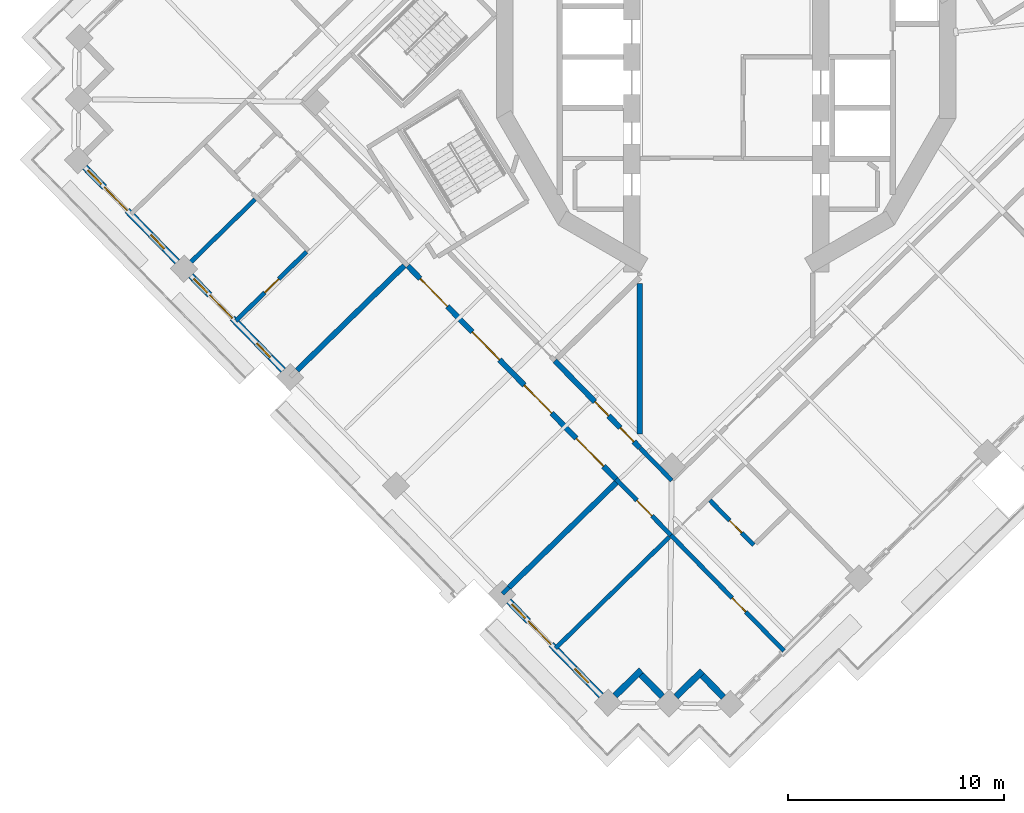
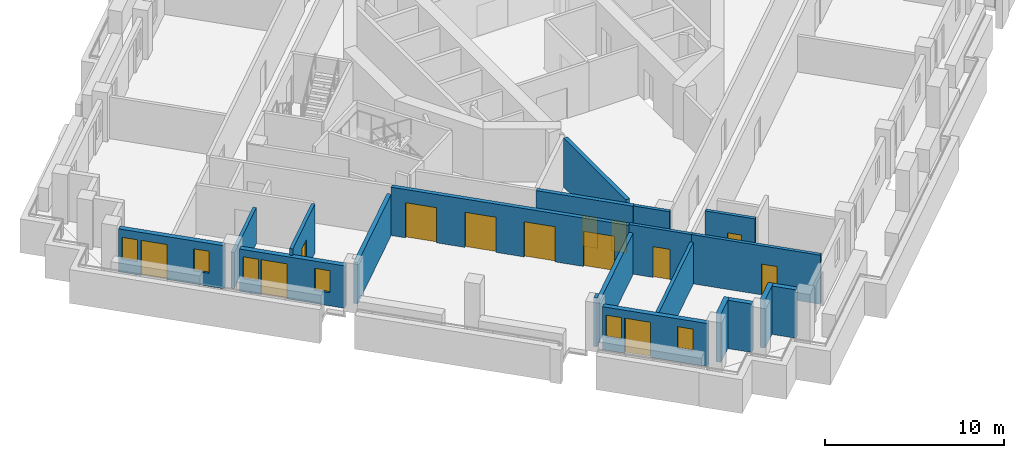
# One storey, part 4 of 17: 20 walls, 13 doors, 6 windows, 19 openings.
"""IFC4 building model written with IfcOpenShell, lengths in metres."""

import ifcopenshell
import ifcopenshell.guid

model = None  # the IFC model being written
_history = None  # IfcOwnerHistory: only IFC2X3 demands one
_inside = {}  # id of a spatial element -> (the spatial element, [elements in it])
_under = {}  # id of a project, library or spatial element -> (it, [spatial elements below it])
_declared = {}  # id of a project -> (the project, [libraries it declares])
_typed = {}  # id of a type object -> (the type object, [elements of that type])
_made_of = {}  # id of a material, layer set ... -> (it, [elements and type objects made of it])


def new_model(schema):
    """Start an empty IFC model of exactly this schema.

    Asked for "IFC4X3", IfcOpenShell would pick the latest addendum, in which some entities
    have other attributes; the version numbers below select the first issue.
    IFC2X3 requires an IfcOwnerHistory on every rooted entity: one is made here for all.
    """
    global model, _history
    if schema == "IFC4X3":
        model = ifcopenshell.file(schema_version=(4, 3, 0, 0))
    else:
        model = ifcopenshell.file(schema=schema)
    _inside.clear()
    _under.clear()
    _declared.clear()
    _typed.clear()
    _made_of.clear()
    _history = None
    if model.schema == "IFC2X3":
        org = make("IfcOrganization", Name="unknown")
        user = make(
            "IfcPersonAndOrganization",
            ThePerson=make("IfcPerson", FamilyName="unknown"),
            TheOrganization=org,
        )
        app = make(
            "IfcApplication",
            ApplicationDeveloper=org,
            Version="unknown",
            ApplicationFullName="unknown",
            ApplicationIdentifier="unknown",
        )
        _history = make(
            "IfcOwnerHistory",
            OwningUser=user,
            OwningApplication=app,
            ChangeAction="ADDED",
            CreationDate=0,
        )
    return model


def make(cls, **values):
    """One entity of the class cls with the attributes given. An attribute that is None is left unset."""
    return model.create_entity(
        cls, **{name: value for name, value in values.items() if value is not None}
    )


def rooted(cls, **values):
    """An entity with a GlobalId (a new one), such as an element, a storey or a relation."""
    return make(cls, GlobalId=ifcopenshell.guid.new(), OwnerHistory=_history, **values)


def si_unit(unit_type, name, prefix=None):
    """IfcSIUnit, for example si_unit("LENGTHUNIT", "METRE", prefix="MILLI")."""
    return make("IfcSIUnit", UnitType=unit_type, Prefix=prefix, Name=name)


def assignment(units):
    """IfcUnitAssignment: the units of a project."""
    return None if units is None else make("IfcUnitAssignment", Units=units)


def point(xyz):
    """IfcCartesianPoint."""
    return None if xyz is None else make("IfcCartesianPoint", Coordinates=xyz)


def direction(xyz):
    """IfcDirection."""
    return None if xyz is None else make("IfcDirection", DirectionRatios=xyz)


def frame(location, z_axis=None, x_axis=None):
    """IfcAxis2Placement3D, a coordinate frame: its origin and axes. An axis left out is left unset."""
    return make(
        "IfcAxis2Placement3D",
        Location=point(location),
        Axis=direction(z_axis),
        RefDirection=direction(x_axis),
    )


def frame_2d(location, x_axis=None):
    """IfcAxis2Placement2D, a coordinate frame in the plane: its origin and x axis."""
    return make(
        "IfcAxis2Placement2D", Location=point(location), RefDirection=direction(x_axis)
    )


def origin():
    """The frame at (0, 0, 0) with its axes left unset."""
    return frame((0.0, 0.0, 0.0))


def place(relative_to, where):
    """IfcLocalPlacement: puts the frame where relative to a parent placement (None: the world)."""
    return make(
        "IfcLocalPlacement", PlacementRelTo=relative_to, RelativePlacement=where
    )


def context(
    kind, dimensions, precision=None, world=None, true_north=None, identifier=None
):
    """IfcGeometricRepresentationContext, for example the 3D "Model" context."""
    return make(
        "IfcGeometricRepresentationContext",
        ContextIdentifier=identifier,
        ContextType=kind,
        CoordinateSpaceDimension=dimensions,
        Precision=precision,
        WorldCoordinateSystem=world,
        TrueNorth=true_north,
    )


def subcontext(parent, identifier, kind, view, scale=None):
    """IfcGeometricRepresentationSubContext, for example "Body" below "Model"."""
    return make(
        "IfcGeometricRepresentationSubContext",
        ContextIdentifier=identifier,
        ContextType=kind,
        ParentContext=parent,
        TargetScale=scale,
        TargetView=view,
    )


def project(units=None, contexts=None):
    """IfcProject with its units and contexts."""
    return rooted(
        "IfcProject",
        Name="project",
        RepresentationContexts=contexts,
        UnitsInContext=assignment(units),
    )


def spatial(cls, under=None, at=None, **own):
    """A site, building, storey or space (cls), placed at a placement, below another one or the project."""
    s = rooted(cls, ObjectPlacement=at, **own)
    if under is not None:
        _under.setdefault(under.id(), (under, []))[1].append(s)
    return s


def profile(cls, at=None, kind="AREA", **sizes):
    """A parametric profile (cls). Its sizes go by their IFC names, for example OverallWidth=200.0."""
    return make(cls, ProfileType=kind, Position=at, **sizes)


def rectangle(**sizes):
    """IfcRectangleProfileDef."""
    return profile("IfcRectangleProfileDef", **sizes)


def extrude(swept, where, along, depth):
    """IfcExtrudedAreaSolid: the profile swept, set in the frame where, extruded along a direction by depth."""
    return make(
        "IfcExtrudedAreaSolid",
        SweptArea=swept,
        Position=where,
        ExtrudedDirection=direction(along),
        Depth=depth,
    )


def shape(context_of_items, identifier, shape_type, items):
    """IfcShapeRepresentation: the items that make up one representation, for example the "Body"."""
    return make(
        "IfcShapeRepresentation",
        ContextOfItems=context_of_items,
        RepresentationIdentifier=identifier,
        RepresentationType=shape_type,
        Items=items,
    )


def material(Name=None, Category=None):
    """IfcMaterial."""
    return make("IfcMaterial", Name=Name, Category=Category)


def layer(
    of_material, thickness, ventilated=None, Name=None, Category=None, Priority=None
):
    """IfcMaterialLayer: one layer of a wall or slab, of a material (None: an air gap)."""
    return make(
        "IfcMaterialLayer",
        Material=of_material,
        LayerThickness=thickness,
        IsVentilated=ventilated,
        Name=Name,
        Category=Category,
        Priority=Priority,
    )


def layer_set(layers, Name=None):
    """IfcMaterialLayerSet."""
    return make("IfcMaterialLayerSet", MaterialLayers=layers, LayerSetName=Name)


def made_of(thing, what):
    """Note that an element or type object is made of a material, layer set ...; save() writes the relation."""
    if what is not None:
        _made_of.setdefault(what.id(), (what, []))[1].append(thing)
    return thing


def type_object(cls, material=None, **own):
    """A type object (cls), such as IfcWallType, which elements share."""
    return made_of(rooted(cls, **own), material)


def element(
    cls,
    number,
    at=None,
    inside=None,
    cuts=None,
    type_object=None,
    material=None,
    context=None,
    identifier="Body",
    shape_type=None,
    held_by="IfcProductDefinitionShape",
    body=None,
    shapes=None,
    **own,
):
    """One element of the class cls, such as IfcWall. Its Tag is "e" and its number.

    at: its placement. inside: the storey or other place that contains it. cuts: it is an
    opening in that element (IfcRelVoidsElement). A single representation is given by context,
    identifier, shape_type and body (its items); several are given by shapes. held_by: the class
    of the entity that holds the representations. save() writes the other relations.
    """
    e = rooted(cls, Tag="e%d" % number, ObjectPlacement=at, **own)
    if body is not None:
        shapes = [shape(context, identifier, shape_type, body)]
    if shapes is not None:
        e.Representation = make(held_by, Representations=shapes)
    if inside is not None:
        _inside.setdefault(inside.id(), (inside, []))[1].append(e)
    if cuts is not None:
        rooted(
            "IfcRelVoidsElement", RelatingBuildingElement=cuts, RelatedOpeningElement=e
        )
    if type_object is not None:
        _typed.setdefault(type_object.id(), (type_object, []))[1].append(e)
    return made_of(e, material)


def fill(opening, filler):
    """IfcRelFillsElement: the door or window that sits in an opening."""
    return rooted(
        "IfcRelFillsElement",
        RelatingOpeningElement=opening,
        RelatedBuildingElement=filler,
    )


def aggregate(whole, parts):
    """IfcRelAggregates: a whole, such as a stair, and the parts it consists of."""
    return rooted("IfcRelAggregates", RelatingObject=whole, RelatedObjects=parts)


def save(model, path):
    """Write the relations noted so far, then the file.

    IfcRelAggregates (storeys below a building ...), IfcRelContainedInSpatialStructure (elements
    in a storey), IfcRelDefinesByType, IfcRelAssociatesMaterial and IfcRelDeclares: one each for
    every whole, place, type object, material and project.
    """
    for whole, parts in _under.values():
        aggregate(whole, parts)
    for where, things in _inside.values():
        rooted(
            "IfcRelContainedInSpatialStructure",
            RelatedElements=things,
            RelatingStructure=where,
        )
    for kind, things in _typed.values():
        rooted("IfcRelDefinesByType", RelatedObjects=things, RelatingType=kind)
    for what, things in _made_of.values():
        rooted("IfcRelAssociatesMaterial", RelatedObjects=things, RelatingMaterial=what)
    for by, libraries in _declared.values():
        rooted("IfcRelDeclares", RelatingContext=by, RelatedDefinitions=libraries)
    model.write(path)


model = new_model("IFC4")

# Units and contexts
model_context = context("Model", 3, precision=1e-05, world=origin(), true_north=direction((0.0, 1.0)))
body_context = subcontext(model_context, "Body", "Model", "MODEL_VIEW")
ifc_project = project(units=[si_unit("LENGTHUNIT", "METRE"), si_unit("AREAUNIT", "SQUARE_METRE"), si_unit("VOLUMEUNIT", "CUBIC_METRE"), si_unit("PLANEANGLEUNIT", "RADIAN"), si_unit("MASSUNIT", "GRAM", prefix="KILO")], contexts=[model_context])

# Site, building, storey
site_placement = place(None, origin())
site = spatial("IfcSite", under=ifc_project, at=site_placement, CompositionType="ELEMENT")
building_placement = place(site_placement, origin())
building = spatial("IfcBuilding", under=site, at=building_placement, Name="Cantera Rosa Tower", CompositionType="ELEMENT")
storey_placement = place(building_placement, frame((0.0, 0.0, 237.800048828125)))
storey = spatial("IfcBuildingStorey", under=building, at=storey_placement, Name="L52", CompositionType="ELEMENT", Elevation=237.800048828125)

# Wall, opening, door
ifc_material_1 = material(Name="Gypsum board partition")
ifc_layer_1 = layer(ifc_material_1, 0.199951171875)
ifc_layer_set_1 = layer_set([ifc_layer_1], Name="CORRIDOR WALL 200 H3350")
wall_type_1 = type_object("IfcWallType", Name="CORRIDOR WALL 200 H3350", PredefinedType="PARTITIONING", material=ifc_layer_set_1)
wall_1_placement = place(storey_placement, frame((-5.10302734375, -19.5322265625, 0.0), z_axis=(0.0, 0.0, 1.0), x_axis=(0.698786553758, -0.71533024002, 0.0)))
wall_1 = element("IfcWall", 1, at=wall_1_placement, inside=storey, type_object=wall_type_1, Name="CORRIDOR WALL L52-004", PredefinedType="PARTITIONING", context=body_context, shape_type="SweptSolid", body=[
    extrude(rectangle(XDim=3.64501953125, YDim=0.199951171875, at=frame_2d((1.822509765625, 0.0))), origin(), (0.0, 0.0, 1.0), 3.349853515625),
])
opening_1_placement = place(wall_1_placement, frame((1.385009765625, 0.0, 0.0)))
opening_1 = element("IfcOpeningElement", 2, at=opening_1_placement, cuts=wall_1, Name="Opening L52-046", PredefinedType="OPENING", context=body_context, shape_type="SweptSolid", body=[
    extrude(rectangle(XDim=1.0, YDim=2.10009765625, at=frame_2d((0.5, 1.050048828125))), frame((0.0, 0.10986328125, 0.0), z_axis=(0.0, -1.0, 0.0), x_axis=(1.0, 0.0, 0.0)), (0.0, 0.0, 1.0), 0.219970703125),
])
ifc_material_2 = material(Name="Timber door leaf", Category="wood")
door_type_1 = type_object("IfcDoorType", Name="ROOM DOOR 1000x2100", OperationType="NOTDEFINED", PredefinedType="DOOR", material=ifc_material_2)
door_1_placement = place(opening_1_placement, origin())
door_1 = element("IfcDoor", 3, at=door_1_placement, inside=storey, type_object=door_type_1, Name="DOOR L52-046", OperationType="NOTDEFINED", OverallHeight=2.10009765625, OverallWidth=1.0, PredefinedType="DOOR", context=body_context, shape_type="SweptSolid", body=[
    extrude(rectangle(XDim=1.0, YDim=2.10009765625, at=frame_2d((0.5, 1.050048828125))), frame((0.0, 0.02490234375, 0.0), z_axis=(0.0, -1.0, 0.0), x_axis=(1.0, 0.0, 0.0)), (0.0, 0.0, 1.0), 0.050048828125),
])
fill(opening_1, door_1)

# Walls
wall_2_placement = place(storey_placement, frame((-3.986083984375, -18.10009765625, 0.0), z_axis=(0.0, 0.0, 1.0), x_axis=(0.698877234419, -0.715241645327, 0.0)))
element("IfcWall", 4, at=wall_2_placement, inside=storey, type_object=wall_type_1, Name="CORRIDOR WALL L52-049", PredefinedType="PARTITIONING", context=body_context, shape_type="SweptSolid", body=[
    extrude(rectangle(XDim=2.088623046875, YDim=0.199951171875, at=frame_2d((1.04443359375, 0.0))), origin(), (0.0, 0.0, 1.0), 3.349853515625),
])
ifc_material_3 = material(Name="Hollow clay masonry with cantera stone cladding", Category="masonry")
ifc_layer_2 = layer(ifc_material_3, 0.300048828125)
ifc_layer_set_2 = layer_set([ifc_layer_2], Name="EW-LOGGIA 300")
wall_type_2 = type_object("IfcWallType", Name="EW-LOGGIA 300", PredefinedType="SOLIDWALL", material=ifc_layer_set_2)
wall_3_placement = place(storey_placement, frame((-5.15283203125, -29.56982421875, 0.0), z_axis=(0.0, 0.0, 1.0), x_axis=(0.715316077832, 0.69880105094, 0.0)))
element("IfcWall", 5, at=wall_3_placement, inside=storey, type_object=wall_type_2, Name="EN-L52-W19a", PredefinedType="SOLIDWALL", context=body_context, shape_type="SweptSolid", body=[
    extrude(rectangle(XDim=1.699951171875, YDim=0.300048828125, at=frame_2d((0.85009765625, 0.0))), origin(), (0.0, 0.0, 1.0), 3.300048828125),
])
wall_4_placement = place(storey_placement, frame((-3.939208984375, -28.593994140625, 0.0), z_axis=(0.0, 0.0, 1.0), x_axis=(0.698861982187, -0.715256548278, 0.0)))
element("IfcWall", 6, at=wall_4_placement, inside=storey, type_object=wall_type_2, Name="EN-L52-W19b", PredefinedType="SOLIDWALL", context=body_context, shape_type="SweptSolid", body=[
    extrude(rectangle(XDim=1.39990234375, YDim=0.300048828125, at=frame_2d((0.699951171875, 0.0))), origin(), (0.0, 0.0, 1.0), 3.300048828125),
])
wall_5_placement = place(storey_placement, frame((-2.324462890625, -29.602783203125, 0.0), z_axis=(0.0, 0.0, 1.0), x_axis=(0.715316077832, 0.69880105094, 0.0)))
element("IfcWall", 7, at=wall_5_placement, inside=storey, type_object=wall_type_2, Name="EN-L52-W20a", PredefinedType="SOLIDWALL", context=body_context, shape_type="SweptSolid", body=[
    extrude(rectangle(XDim=1.699951171875, YDim=0.300048828125, at=frame_2d((0.85009765625, 0.0))), origin(), (0.0, 0.0, 1.0), 3.300048828125),
])
wall_6_placement = place(storey_placement, frame((-1.111083984375, -28.626953125, 0.0), z_axis=(0.0, 0.0, 1.0), x_axis=(0.698951192766, -0.71516937164, 0.0)))
element("IfcWall", 8, at=wall_6_placement, inside=storey, type_object=wall_type_2, Name="EN-L52-W20b", PredefinedType="SOLIDWALL", context=body_context, shape_type="SweptSolid", body=[
    extrude(rectangle(XDim=1.39990234375, YDim=0.300048828125, at=frame_2d((0.699951171875, 0.0))), origin(), (0.0, 0.0, 1.0), 3.300048828125),
])

# Wall, openings, windows, door
ifc_material_4 = material(Name="Hollow clay masonry with cantera stone cladding", Category="masonry")
ifc_layer_3 = layer(ifc_material_4, 0.300048828125)
ifc_layer_set_3 = layer_set([ifc_layer_3], Name="EW-LOGGIA 300 H2890")
wall_type_3 = type_object("IfcWallType", Name="EW-LOGGIA 300 H2890", PredefinedType="SOLIDWALL", material=ifc_layer_set_3)
wall_7_placement = place(storey_placement, frame((-24.783203125, -10.120849609375, 0.0), z_axis=(0.0, 0.0, 1.0), x_axis=(0.698800768177, -0.715316354067, 0.0)))
wall_7 = element("IfcWall", 9, at=wall_7_placement, inside=storey, type_object=wall_type_3, Name="EN-L52-W15", PredefinedType="SOLIDWALL", context=body_context, shape_type="SweptSolid", body=[
    extrude(rectangle(XDim=6.119873046875, YDim=0.300048828125, at=frame_2d((3.06005859375, 0.0))), origin(), (0.0, 0.0, 1.0), 2.889892578125),
])
opening_2_placement = place(wall_7_placement, frame((0.199951171875, 0.0, 0.89990234375)))
opening_2 = element("IfcOpeningElement", 10, at=opening_2_placement, cuts=wall_7, Name="Opening L52-W31", PredefinedType="OPENING", context=body_context, shape_type="SweptSolid", body=[
    extrude(rectangle(XDim=0.89990234375, YDim=1.5, at=frame_2d((0.449951171875, 0.75))), frame((0.0, 0.159912109375, 0.0), z_axis=(0.0, -1.0, 0.0), x_axis=(1.0, 0.0, 0.0)), (0.0, 0.0, 1.0), 0.320068359375),
])
opening_3_placement = place(wall_7_placement, frame((1.25, 0.0, 0.0)))
opening_3 = element("IfcOpeningElement", 11, at=opening_3_placement, cuts=wall_7, Name="Opening L52-TD32", PredefinedType="OPENING", context=body_context, shape_type="SweptSolid", body=[
    extrude(rectangle(XDim=1.5, YDim=2.39990234375, at=frame_2d((0.75, 1.199951171875))), frame((0.0, 0.159912109375, 0.0), z_axis=(0.0, -1.0, 0.0), x_axis=(1.0, 0.0, 0.0)), (0.0, 0.0, 1.0), 0.320068359375),
])
opening_4_placement = place(wall_7_placement, frame((4.364990234375, 0.0, 0.89990234375)))
opening_4 = element("IfcOpeningElement", 12, at=opening_4_placement, cuts=wall_7, Name="Opening L52-W33", PredefinedType="OPENING", context=body_context, shape_type="SweptSolid", body=[
    extrude(rectangle(XDim=0.89990234375, YDim=1.5, at=frame_2d((0.449951171875, 0.75))), frame((0.0, 0.159912109375, 0.0), z_axis=(0.0, -1.0, 0.0), x_axis=(1.0, 0.0, 0.0)), (0.0, 0.0, 1.0), 0.320068359375),
])
ifc_material_5 = material(Name="Aluminium frame with clear glass", Category="aluminium")
window_type = type_object("IfcWindowType", Name="Residential window 900x1500", PartitioningType="SINGLE_PANEL", PredefinedType="WINDOW", material=ifc_material_5)
window_1_placement = place(opening_2_placement, origin())
window_1 = element("IfcWindow", 13, at=window_1_placement, inside=storey, type_object=window_type, Name="WINDOW L52-W31", OverallHeight=1.5, OverallWidth=0.89990234375, PartitioningType="SINGLE_PANEL", PredefinedType="WINDOW", context=body_context, shape_type="SweptSolid", body=[
    extrude(rectangle(XDim=0.89990234375, YDim=1.5, at=frame_2d((0.449951171875, 0.75))), frame((0.0, 0.030029296875, 0.0), z_axis=(0.0, -1.0, 0.0), x_axis=(1.0, 0.0, 0.0)), (0.0, 0.0, 1.0), 0.06005859375),
])
fill(opening_2, window_1)
window_2_placement = place(opening_4_placement, origin())
window_2 = element("IfcWindow", 14, at=window_2_placement, inside=storey, type_object=window_type, Name="WINDOW L52-W33", OverallHeight=1.5, OverallWidth=0.89990234375, PartitioningType="SINGLE_PANEL", PredefinedType="WINDOW", context=body_context, shape_type="SweptSolid", body=[
    extrude(rectangle(XDim=0.89990234375, YDim=1.5, at=frame_2d((0.449951171875, 0.75))), frame((0.0, 0.030029296875, 0.0), z_axis=(0.0, -1.0, 0.0), x_axis=(1.0, 0.0, 0.0)), (0.0, 0.0, 1.0), 0.06005859375),
])
fill(opening_4, window_2)
ifc_material_6 = material(Name="Aluminium frame with clear glass", Category="aluminium")
door_type_2 = type_object("IfcDoorType", Name="TD-R 1500x2400", OperationType="NOTDEFINED", PredefinedType="DOOR", material=ifc_material_6)
door_2_placement = place(opening_3_placement, origin())
door_2 = element("IfcDoor", 15, at=door_2_placement, inside=storey, type_object=door_type_2, Name="LOGGIA DOOR L52-TD32", OperationType="SLIDING_TO_LEFT", OverallHeight=2.39990234375, OverallWidth=1.5, PredefinedType="DOOR", context=body_context, shape_type="SweptSolid", body=[
    extrude(rectangle(XDim=1.5, YDim=2.39990234375, at=frame_2d((0.75, 1.199951171875))), frame((0.0, 0.02490234375, 0.0), z_axis=(0.0, -1.0, 0.0), x_axis=(1.0, 0.0, 0.0)), (0.0, 0.0, 1.0), 0.050048828125),
])
fill(opening_3, door_2)

ifc_material_7 = material(Name="Hollow clay masonry with cantera stone cladding", Category="masonry")
ifc_layer_4 = layer(ifc_material_7, 0.300048828125)
ifc_layer_set_4 = layer_set([ifc_layer_4], Name="EW-LOGGIA 300 H2940")
wall_type_4 = type_object("IfcWallType", Name="EW-LOGGIA 300 H2940", PredefinedType="SOLIDWALL", material=ifc_layer_set_4)
wall_8_placement = place(storey_placement, frame((-29.689208984375, -5.099609375, 0.0), z_axis=(0.0, 0.0, 1.0), x_axis=(0.69882117953, -0.715296413412, 0.0)))
wall_8 = element("IfcWall", 16, at=wall_8_placement, inside=storey, type_object=wall_type_4, Name="EN-L52-W14", PredefinedType="SOLIDWALL", context=body_context, shape_type="SweptSolid", body=[
    extrude(rectangle(XDim=6.1201171875, YDim=0.300048828125, at=frame_2d((3.06005859375, 0.0))), origin(), (0.0, 0.0, 1.0), 2.93994140625),
])
opening_5_placement = place(wall_8_placement, frame((0.199951171875, 0.0, 0.89990234375)))
opening_5 = element("IfcOpeningElement", 17, at=opening_5_placement, cuts=wall_8, Name="Opening L52-W28", PredefinedType="OPENING", context=body_context, shape_type="SweptSolid", body=[
    extrude(rectangle(XDim=0.89990234375, YDim=1.5, at=frame_2d((0.449951171875, 0.75))), frame((0.0, 0.159912109375, 0.0), z_axis=(0.0, -1.0, 0.0), x_axis=(1.0, 0.0, 0.0)), (0.0, 0.0, 1.0), 0.320068359375),
])
opening_6_placement = place(wall_8_placement, frame((1.300048828125, 0.0, 0.0)))
opening_6 = element("IfcOpeningElement", 18, at=opening_6_placement, cuts=wall_8, Name="Opening L52-TD29", PredefinedType="OPENING", context=body_context, shape_type="SweptSolid", body=[
    extrude(rectangle(XDim=1.5, YDim=2.39990234375, at=frame_2d((0.75, 1.199951171875))), frame((0.0, 0.159912109375, 0.0), z_axis=(0.0, -1.0, 0.0), x_axis=(1.0, 0.0, 0.0)), (0.0, 0.0, 1.0), 0.320068359375),
])
opening_7_placement = place(wall_8_placement, frame((4.364990234375, 0.0, 0.89990234375)))
opening_7 = element("IfcOpeningElement", 19, at=opening_7_placement, cuts=wall_8, Name="Opening L52-W30", PredefinedType="OPENING", context=body_context, shape_type="SweptSolid", body=[
    extrude(rectangle(XDim=0.89990234375, YDim=1.5, at=frame_2d((0.449951171875, 0.75))), frame((0.0, 0.159912109375, 0.0), z_axis=(0.0, -1.0, 0.0), x_axis=(1.0, 0.0, 0.0)), (0.0, 0.0, 1.0), 0.320068359375),
])
window_3_placement = place(opening_5_placement, origin())
window_3 = element("IfcWindow", 20, at=window_3_placement, inside=storey, type_object=window_type, Name="WINDOW L52-W28", OverallHeight=1.5, OverallWidth=0.89990234375, PartitioningType="SINGLE_PANEL", PredefinedType="WINDOW", context=body_context, shape_type="SweptSolid", body=[
    extrude(rectangle(XDim=0.89990234375, YDim=1.5, at=frame_2d((0.449951171875, 0.75))), frame((0.0, 0.030029296875, 0.0), z_axis=(0.0, -1.0, 0.0), x_axis=(1.0, 0.0, 0.0)), (0.0, 0.0, 1.0), 0.06005859375),
])
fill(opening_5, window_3)
window_4_placement = place(opening_7_placement, origin())
window_4 = element("IfcWindow", 21, at=window_4_placement, inside=storey, type_object=window_type, Name="WINDOW L52-W30", OverallHeight=1.5, OverallWidth=0.89990234375, PartitioningType="SINGLE_PANEL", PredefinedType="WINDOW", context=body_context, shape_type="SweptSolid", body=[
    extrude(rectangle(XDim=0.89990234375, YDim=1.5, at=frame_2d((0.449951171875, 0.75))), frame((0.0, 0.030029296875, 0.0), z_axis=(0.0, -1.0, 0.0), x_axis=(1.0, 0.0, 0.0)), (0.0, 0.0, 1.0), 0.06005859375),
])
fill(opening_7, window_4)
door_3_placement = place(opening_6_placement, origin())
door_3 = element("IfcDoor", 22, at=door_3_placement, inside=storey, type_object=door_type_2, Name="LOGGIA DOOR L52-TD29", OperationType="SLIDING_TO_LEFT", OverallHeight=2.39990234375, OverallWidth=1.5, PredefinedType="DOOR", context=body_context, shape_type="SweptSolid", body=[
    extrude(rectangle(XDim=1.5, YDim=2.39990234375, at=frame_2d((0.75, 1.199951171875))), frame((0.0, 0.02490234375, 0.0), z_axis=(0.0, -1.0, 0.0), x_axis=(1.0, 0.0, 0.0)), (0.0, 0.0, 1.0), 0.050048828125),
])
fill(opening_6, door_3)

wall_9_placement = place(storey_placement, frame((-10.06591796875, -25.184814453125, 0.0), z_axis=(0.0, 0.0, 1.0), x_axis=(0.69882117953, -0.715296413412, 0.0)))
wall_9 = element("IfcWall", 23, at=wall_9_placement, inside=storey, type_object=wall_type_4, Name="EN-L52-W18", PredefinedType="SOLIDWALL", context=body_context, shape_type="SweptSolid", body=[
    extrude(rectangle(XDim=6.1201171875, YDim=0.300048828125, at=frame_2d((3.06005859375, 0.0))), origin(), (0.0, 0.0, 1.0), 2.93994140625),
])
opening_8_placement = place(wall_9_placement, frame((0.199951171875, 0.0, 0.89990234375)))
opening_8 = element("IfcOpeningElement", 24, at=opening_8_placement, cuts=wall_9, Name="Opening L52-W34", PredefinedType="OPENING", context=body_context, shape_type="SweptSolid", body=[
    extrude(rectangle(XDim=0.89990234375, YDim=1.5, at=frame_2d((0.449951171875, 0.75))), frame((0.0, 0.159912109375, 0.0), z_axis=(0.0, -1.0, 0.0), x_axis=(1.0, 0.0, 0.0)), (0.0, 0.0, 1.0), 0.320068359375),
])
opening_9_placement = place(wall_9_placement, frame((1.300048828125, 0.0, 0.0)))
opening_9 = element("IfcOpeningElement", 25, at=opening_9_placement, cuts=wall_9, Name="Opening L52-TD35", PredefinedType="OPENING", context=body_context, shape_type="SweptSolid", body=[
    extrude(rectangle(XDim=1.5, YDim=2.39990234375, at=frame_2d((0.75, 1.199951171875))), frame((0.0, 0.159912109375, 0.0), z_axis=(0.0, -1.0, 0.0), x_axis=(1.0, 0.0, 0.0)), (0.0, 0.0, 1.0), 0.320068359375),
])
opening_10_placement = place(wall_9_placement, frame((4.364990234375, 0.0, 0.89990234375)))
opening_10 = element("IfcOpeningElement", 26, at=opening_10_placement, cuts=wall_9, Name="Opening L52-W36", PredefinedType="OPENING", context=body_context, shape_type="SweptSolid", body=[
    extrude(rectangle(XDim=0.89990234375, YDim=1.5, at=frame_2d((0.449951171875, 0.75))), frame((0.0, 0.159912109375, 0.0), z_axis=(0.0, -1.0, 0.0), x_axis=(1.0, 0.0, 0.0)), (0.0, 0.0, 1.0), 0.320068359375),
])
window_5_placement = place(opening_8_placement, origin())
window_5 = element("IfcWindow", 27, at=window_5_placement, inside=storey, type_object=window_type, Name="WINDOW L52-W34", OverallHeight=1.5, OverallWidth=0.89990234375, PartitioningType="SINGLE_PANEL", PredefinedType="WINDOW", context=body_context, shape_type="SweptSolid", body=[
    extrude(rectangle(XDim=0.89990234375, YDim=1.5, at=frame_2d((0.449951171875, 0.75))), frame((0.0, 0.030029296875, 0.0), z_axis=(0.0, -1.0, 0.0), x_axis=(1.0, 0.0, 0.0)), (0.0, 0.0, 1.0), 0.06005859375),
])
fill(opening_8, window_5)
window_6_placement = place(opening_10_placement, origin())
window_6 = element("IfcWindow", 28, at=window_6_placement, inside=storey, type_object=window_type, Name="WINDOW L52-W36", OverallHeight=1.5, OverallWidth=0.89990234375, PartitioningType="SINGLE_PANEL", PredefinedType="WINDOW", context=body_context, shape_type="SweptSolid", body=[
    extrude(rectangle(XDim=0.89990234375, YDim=1.5, at=frame_2d((0.449951171875, 0.75))), frame((0.0, 0.030029296875, 0.0), z_axis=(0.0, -1.0, 0.0), x_axis=(1.0, 0.0, 0.0)), (0.0, 0.0, 1.0), 0.06005859375),
])
fill(opening_10, window_6)
door_4_placement = place(opening_9_placement, origin())
door_4 = element("IfcDoor", 29, at=door_4_placement, inside=storey, type_object=door_type_2, Name="LOGGIA DOOR L52-TD35", OperationType="SLIDING_TO_LEFT", OverallHeight=2.39990234375, OverallWidth=1.5, PredefinedType="DOOR", context=body_context, shape_type="SweptSolid", body=[
    extrude(rectangle(XDim=1.5, YDim=2.39990234375, at=frame_2d((0.75, 1.199951171875))), frame((0.0, 0.02490234375, 0.0), z_axis=(0.0, -1.0, 0.0), x_axis=(1.0, 0.0, 0.0)), (0.0, 0.0, 1.0), 0.050048828125),
])
fill(opening_9, door_4)

# Walls
ifc_material_8 = material(Name="Concrete C40/50", Category="concrete")
ifc_layer_5 = layer(ifc_material_8, 0.25)
ifc_layer_set_5 = layer_set([ifc_layer_5], Name="EW-POCKET CHEEK 250 H2820")
wall_type_5 = type_object("IfcWallType", Name="EW-POCKET CHEEK 250 H2820", PredefinedType="SOLIDWALL", material=ifc_layer_set_5)
for number, where, z_axis, x_axis, name in (
    (30, (-19.8701171875, -14.505859375, 0.0), (0.0, 0.0, 1.0), (0.715278984135, 0.69883901927, 0.0), "POCKET CHEEK A L52"),
    (31, (-10.05859375, -24.548583984375, 0.0), (0.0, 0.0, 1.0), (0.715278984135, 0.69883901927, 0.0), "POCKET CHEEK B L52"),
):
    element("IfcWall", number, at=place(storey_placement, frame(where, z_axis=z_axis, x_axis=x_axis)), inside=storey, type_object=wall_type_5, Name=name, PredefinedType="SOLIDWALL", context=body_context, shape_type="SweptSolid", body=[
        extrude(rectangle(XDim=6.949951171875, YDim=0.25, at=frame_2d((3.47509765625, 0.0))), origin(), (0.0, 0.0, 1.0), 2.820068359375),
    ])

# Wall, openings, doors
ifc_material_9 = material(Name="Hollow clay masonry with cantera stone cladding", Category="masonry")
ifc_layer_6 = layer(ifc_material_9, 0.25)
ifc_layer_set_6 = layer_set([ifc_layer_6], Name="EW-POCKET REAR 250")
wall_type_6 = type_object("IfcWallType", Name="EW-POCKET REAR 250", PredefinedType="SOLIDWALL", material=ifc_layer_set_6)
wall_10_placement = place(storey_placement, frame((-14.739990234375, -9.66845703125, 0.0), z_axis=(0.0, 0.0, 1.0), x_axis=(0.698835388465, -0.715282531472, 0.0)))
wall_10 = element("IfcWall", 32, at=wall_10_placement, inside=storey, type_object=wall_type_6, Name="POCKET REAR L52", PredefinedType="SOLIDWALL", context=body_context, shape_type="SweptSolid", body=[
    extrude(rectangle(XDim=13.7900390625, YDim=0.25, at=frame_2d((6.89501953125, 0.0))), origin(), (0.0, 0.0, 1.0), 3.300048828125),
])
opening_11_placement = place(wall_10_placement, frame((0.82373046875, 0.0, 0.0)))
opening_11 = element("IfcOpeningElement", 33, at=opening_11_placement, cuts=wall_10, Name="Opening L52-LT01", PredefinedType="OPENING", context=body_context, shape_type="SweptSolid", body=[
    extrude(rectangle(XDim=1.800048828125, YDim=2.39990234375, at=frame_2d((0.89990234375, 1.199951171875))), frame((0.0, 0.135009765625, 0.0), z_axis=(0.0, -1.0, 0.0), x_axis=(1.0, 0.0, 0.0)), (0.0, 0.0, 1.0), 0.27001953125),
])
opening_12_placement = place(wall_10_placement, frame((4.271240234375, 0.0, 0.0)))
opening_12 = element("IfcOpeningElement", 34, at=opening_12_placement, cuts=wall_10, Name="Opening L52-LT02", PredefinedType="OPENING", context=body_context, shape_type="SweptSolid", body=[
    extrude(rectangle(XDim=1.800048828125, YDim=2.39990234375, at=frame_2d((0.89990234375, 1.199951171875))), frame((0.0, 0.135009765625, 0.0), z_axis=(0.0, -1.0, 0.0), x_axis=(1.0, 0.0, 0.0)), (0.0, 0.0, 1.0), 0.27001953125),
])
opening_13_placement = place(wall_10_placement, frame((7.71875, 0.0, 0.0)))
opening_13 = element("IfcOpeningElement", 35, at=opening_13_placement, cuts=wall_10, Name="Opening L52-LT03", PredefinedType="OPENING", context=body_context, shape_type="SweptSolid", body=[
    extrude(rectangle(XDim=1.800048828125, YDim=2.39990234375, at=frame_2d((0.89990234375, 1.199951171875))), frame((0.0, 0.135009765625, 0.0), z_axis=(0.0, -1.0, 0.0), x_axis=(1.0, 0.0, 0.0)), (0.0, 0.0, 1.0), 0.27001953125),
])
opening_14_placement = place(wall_10_placement, frame((11.166259765625, 0.0, 0.0)))
opening_14 = element("IfcOpeningElement", 36, at=opening_14_placement, cuts=wall_10, Name="Opening L52-LT04", PredefinedType="OPENING", context=body_context, shape_type="SweptSolid", body=[
    extrude(rectangle(XDim=1.800048828125, YDim=2.39990234375, at=frame_2d((0.89990234375, 1.199951171875))), frame((0.0, 0.135009765625, 0.0), z_axis=(0.0, -1.0, 0.0), x_axis=(1.0, 0.0, 0.0)), (0.0, 0.0, 1.0), 0.27001953125),
])
ifc_material_10 = material(Name="Aluminium frame with clear glass", Category="aluminium")
door_type_3 = type_object("IfcDoorType", Name="TD-T 1800x2400", OperationType="NOTDEFINED", PredefinedType="DOOR", material=ifc_material_10)
door_5_placement = place(opening_11_placement, origin())
door_5 = element("IfcDoor", 37, at=door_5_placement, inside=storey, type_object=door_type_3, Name="TERRACE DOOR L52-LT01", OperationType="DOUBLE_DOOR_SINGLE_SWING", OverallHeight=2.39990234375, OverallWidth=1.800048828125, PredefinedType="DOOR", context=body_context, shape_type="SweptSolid", body=[
    extrude(rectangle(XDim=1.800048828125, YDim=2.39990234375, at=frame_2d((0.89990234375, 1.199951171875))), frame((0.0, 0.02490234375, 0.0), z_axis=(0.0, -1.0, 0.0), x_axis=(1.0, 0.0, 0.0)), (0.0, 0.0, 1.0), 0.050048828125),
])
fill(opening_11, door_5)
door_6_placement = place(opening_12_placement, origin())
door_6 = element("IfcDoor", 38, at=door_6_placement, inside=storey, type_object=door_type_3, Name="TERRACE DOOR L52-LT02", OperationType="DOUBLE_DOOR_SINGLE_SWING", OverallHeight=2.39990234375, OverallWidth=1.800048828125, PredefinedType="DOOR", context=body_context, shape_type="SweptSolid", body=[
    extrude(rectangle(XDim=1.800048828125, YDim=2.39990234375, at=frame_2d((0.89990234375, 1.199951171875))), frame((0.0, 0.02490234375, 0.0), z_axis=(0.0, -1.0, 0.0), x_axis=(1.0, 0.0, 0.0)), (0.0, 0.0, 1.0), 0.050048828125),
])
fill(opening_12, door_6)
door_7_placement = place(opening_13_placement, origin())
door_7 = element("IfcDoor", 39, at=door_7_placement, inside=storey, type_object=door_type_3, Name="TERRACE DOOR L52-LT03", OperationType="DOUBLE_DOOR_SINGLE_SWING", OverallHeight=2.39990234375, OverallWidth=1.800048828125, PredefinedType="DOOR", context=body_context, shape_type="SweptSolid", body=[
    extrude(rectangle(XDim=1.800048828125, YDim=2.39990234375, at=frame_2d((0.89990234375, 1.199951171875))), frame((0.0, 0.02490234375, 0.0), z_axis=(0.0, -1.0, 0.0), x_axis=(1.0, 0.0, 0.0)), (0.0, 0.0, 1.0), 0.050048828125),
])
fill(opening_13, door_7)
door_8_placement = place(opening_14_placement, origin())
door_8 = element("IfcDoor", 40, at=door_8_placement, inside=storey, type_object=door_type_3, Name="TERRACE DOOR L52-LT04", OperationType="DOUBLE_DOOR_SINGLE_SWING", OverallHeight=2.39990234375, OverallWidth=1.800048828125, PredefinedType="DOOR", context=body_context, shape_type="SweptSolid", body=[
    extrude(rectangle(XDim=1.800048828125, YDim=2.39990234375, at=frame_2d((0.89990234375, 1.199951171875))), frame((0.0, 0.02490234375, 0.0), z_axis=(0.0, -1.0, 0.0), x_axis=(1.0, 0.0, 0.0)), (0.0, 0.0, 1.0), 0.050048828125),
])
fill(opening_14, door_8)

# Wall
ifc_material_11 = material(Name="Gypsum board partition")
ifc_layer_7 = layer(ifc_material_11, 0.199951171875)
ifc_layer_set_7 = layer_set([ifc_layer_7], Name="PARTITION 200 H2450")
wall_type_7 = type_object("IfcWallType", Name="PARTITION 200 H2450", PredefinedType="PARTITIONING", material=ifc_layer_set_7)
wall_11_placement = place(storey_placement, frame((-21.8076171875, -6.58447265625, 0.0), z_axis=(0.0, 0.0, 1.0), x_axis=(-0.71528612383, -0.698831711541, 0.0)))
element("IfcWall", 41, at=wall_11_placement, inside=storey, type_object=wall_type_7, Name="PARTITION L52-005", PredefinedType="PARTITIONING", context=body_context, shape_type="SweptSolid", body=[
    extrude(rectangle(XDim=4.56982421875, YDim=0.199951171875, at=frame_2d((2.284912109375, 0.0))), origin(), (0.0, 0.0, 1.0), 2.449951171875),
])

# Wall, opening, door
ifc_material_12 = material(Name="Gypsum board partition")
ifc_layer_8 = layer(ifc_material_12, 0.199951171875)
ifc_layer_set_8 = layer_set([ifc_layer_8], Name="PARTITION 200 H3350")
wall_type_8 = type_object("IfcWallType", Name="PARTITION 200 H3350", PredefinedType="PARTITIONING", material=ifc_layer_set_8)
wall_12_placement = place(storey_placement, frame((-19.431396484375, -9.016357421875, 0.0), z_axis=(0.0, 0.0, 1.0), x_axis=(-0.715259419829, -0.69885904326, 0.0)))
wall_12 = element("IfcWall", 42, at=wall_12_placement, inside=storey, type_object=wall_type_8, Name="PARTITION L52-009", PredefinedType="PARTITIONING", context=body_context, shape_type="SweptSolid", body=[
    extrude(rectangle(XDim=4.570068359375, YDim=0.199951171875, at=frame_2d((2.28515625, 0.0))), origin(), (0.0, 0.0, 1.0), 3.349853515625),
])
opening_15_placement = place(wall_12_placement, frame((1.800048828125, 0.0, 0.0)))
opening_15 = element("IfcOpeningElement", 43, at=opening_15_placement, cuts=wall_12, Name="Opening L52-045", PredefinedType="OPENING", context=body_context, shape_type="SweptSolid", body=[
    extrude(rectangle(XDim=0.89990234375, YDim=2.10009765625, at=frame_2d((0.449951171875, 1.050048828125))), frame((0.0, 0.10986328125, 0.0), z_axis=(0.0, -1.0, 0.0), x_axis=(1.0, 0.0, 0.0)), (0.0, 0.0, 1.0), 0.219970703125),
])
ifc_material_13 = material(Name="Timber door leaf", Category="wood")
door_type_4 = type_object("IfcDoorType", Name="ROOM DOOR 900x2100", OperationType="NOTDEFINED", PredefinedType="DOOR", material=ifc_material_13)
door_9_placement = place(opening_15_placement, origin())
door_9 = element("IfcDoor", 44, at=door_9_placement, inside=storey, type_object=door_type_4, Name="DOOR L52-045", OperationType="NOTDEFINED", OverallHeight=2.10009765625, OverallWidth=0.89990234375, PredefinedType="DOOR", context=body_context, shape_type="SweptSolid", body=[
    extrude(rectangle(XDim=0.89990234375, YDim=2.10009765625, at=frame_2d((0.449951171875, 1.050048828125))), frame((0.0, 0.02490234375, 0.0), z_axis=(0.0, -1.0, 0.0), x_axis=(1.0, 0.0, 0.0)), (0.0, 0.0, 1.0), 0.050048828125),
])
fill(opening_15, door_9)

# Wall
wall_13_placement = place(storey_placement, frame((-10.35888671875, -24.842041015625, 0.0), z_axis=(0.0, 0.0, 1.0), x_axis=(0.715200413867, 0.698919428836, 0.0)))
element("IfcWall", 45, at=wall_13_placement, inside=storey, type_object=wall_type_8, Name="PARTITION L52-028", PredefinedType="PARTITIONING", context=body_context, shape_type="SweptSolid", body=[
    extrude(rectangle(XDim=0.419921875, YDim=0.199951171875, at=frame_2d((0.2099609375, 0.0))), origin(), (0.0, 0.0, 1.0), 3.349853515625),
])

# Wall, opening, door
wall_14_placement = place(storey_placement, frame((-2.555908203125, -22.1396484375, 0.0), z_axis=(0.0, 0.0, 1.0), x_axis=(0.698839096465, -0.715278908715, 0.0)))
wall_14 = element("IfcWall", 46, at=wall_14_placement, inside=storey, type_object=wall_type_8, Name="PARTITION L52-056", PredefinedType="PARTITIONING", context=body_context, shape_type="SweptSolid", body=[
    extrude(rectangle(XDim=7.4697265625, YDim=0.199951171875, at=frame_2d((3.73486328125, 0.0))), origin(), (0.0, 0.0, 1.0), 3.349853515625),
])
opening_16_placement = place(wall_14_placement, frame((4.050048828125, 0.0, 0.0)))
opening_16 = element("IfcOpeningElement", 47, at=opening_16_placement, cuts=wall_14, Name="Opening L52-051", PredefinedType="OPENING", context=body_context, shape_type="SweptSolid", body=[
    extrude(rectangle(XDim=0.89990234375, YDim=2.10009765625, at=frame_2d((0.449951171875, 1.050048828125))), frame((0.0, 0.10986328125, 0.0), z_axis=(0.0, -1.0, 0.0), x_axis=(1.0, 0.0, 0.0)), (0.0, 0.0, 1.0), 0.219970703125),
])
door_10_placement = place(opening_16_placement, origin())
door_10 = element("IfcDoor", 48, at=door_10_placement, inside=storey, type_object=door_type_4, Name="DOOR L52-051", OperationType="NOTDEFINED", OverallHeight=2.10009765625, OverallWidth=0.89990234375, PredefinedType="DOOR", context=body_context, shape_type="SweptSolid", body=[
    extrude(rectangle(XDim=0.89990234375, YDim=2.10009765625, at=frame_2d((0.449951171875, 1.050048828125))), frame((0.0, 0.02490234375, 0.0), z_axis=(0.0, -1.0, 0.0), x_axis=(1.0, 0.0, 0.0)), (0.0, 0.0, 1.0), 0.050048828125),
])
fill(opening_16, door_10)

wall_15_placement = place(storey_placement, frame((1.271484375, -22.59423828125, 0.0), z_axis=(0.0, 0.0, 1.0), x_axis=(-0.698807658641, 0.715309622628, 0.0)))
wall_15 = element("IfcWall", 49, at=wall_15_placement, inside=storey, type_object=wall_type_8, Name="PARTITION L52-063", PredefinedType="PARTITIONING", context=body_context, shape_type="SweptSolid", body=[
    extrude(rectangle(XDim=2.899658203125, YDim=0.199951171875, at=frame_2d((1.44970703125, 0.0))), origin(), (0.0, 0.0, 1.0), 3.349853515625),
])
opening_17_placement = place(wall_15_placement, frame((0.800048828125, 0.0, 0.0)))
opening_17 = element("IfcOpeningElement", 50, at=opening_17_placement, cuts=wall_15, Name="Opening L52-050", PredefinedType="OPENING", context=body_context, shape_type="SweptSolid", body=[
    extrude(rectangle(XDim=0.800048828125, YDim=2.10009765625, at=frame_2d((0.39990234375, 1.050048828125))), frame((0.0, 0.10986328125, 0.0), z_axis=(0.0, -1.0, 0.0), x_axis=(1.0, 0.0, 0.0)), (0.0, 0.0, 1.0), 0.219970703125),
])
ifc_material_14 = material(Name="Timber door leaf", Category="wood")
door_type_5 = type_object("IfcDoorType", Name="BATHROOM DOOR 800x2100", OperationType="NOTDEFINED", PredefinedType="DOOR", material=ifc_material_14)
door_11_placement = place(opening_17_placement, origin())
door_11 = element("IfcDoor", 51, at=door_11_placement, inside=storey, type_object=door_type_5, Name="DOOR L52-050", OperationType="NOTDEFINED", OverallHeight=2.10009765625, OverallWidth=0.800048828125, PredefinedType="DOOR", context=body_context, shape_type="SweptSolid", body=[
    extrude(rectangle(XDim=0.800048828125, YDim=2.10009765625, at=frame_2d((0.39990234375, 1.050048828125))), frame((0.0, 0.02490234375, 0.0), z_axis=(0.0, -1.0, 0.0), x_axis=(1.0, 0.0, 0.0)), (0.0, 0.0, 1.0), 0.050048828125),
])
fill(opening_17, door_11)

# Wall
ifc_material_15 = material(Name="Gypsum board partition")
ifc_layer_9 = layer(ifc_material_15, 0.199951171875)
ifc_layer_set_9 = layer_set([ifc_layer_9], Name="PARTY WALL 200 H2850")
wall_type_9 = type_object("IfcWallType", Name="PARTY WALL 200 H2850", PredefinedType="PARTITIONING", material=ifc_layer_set_9)
wall_16_placement = place(storey_placement, frame((-7.899169921875, -27.35986328125, 0.0), z_axis=(0.0, 0.0, 1.0), x_axis=(0.715296247667, 0.698821349183, 0.0)))
element("IfcWall", 52, at=wall_16_placement, inside=storey, type_object=wall_type_9, Name="PARTY WALL L52-035", PredefinedType="PARTITIONING", context=body_context, shape_type="SweptSolid", body=[
    extrude(rectangle(XDim=7.35009765625, YDim=0.199951171875, at=frame_2d((3.675048828125, 0.0))), origin(), (0.0, 0.0, 1.0), 2.849853515625),
])

# Wall, openings, doors
ifc_material_16 = material(Name="Masonry blockwork", Category="masonry")
ifc_layer_10 = layer(ifc_material_16, 0.25)
ifc_layer_set_10 = layer_set([ifc_layer_10], Name="SHAFT WALL 250 H3350")
wall_type_10 = type_object("IfcWallType", Name="SHAFT WALL 250 H3350", PredefinedType="SOLIDWALL", material=ifc_layer_set_10)
wall_17_placement = place(storey_placement, frame((-7.92822265625, -14.06494140625, 0.0), z_axis=(0.0, 0.0, 1.0), x_axis=(0.698828427015, -0.715289332785, 0.0)))
wall_17 = element("IfcWall", 53, at=wall_17_placement, inside=storey, type_object=wall_type_10, Name="SHAFT WALL L52-034", PredefinedType="SOLIDWALL", context=body_context, shape_type="SweptSolid", body=[
    extrude(rectangle(XDim=5.62109375, YDim=0.25, at=frame_2d((2.810546875, 0.0))), origin(), (0.0, 0.0, 1.0), 3.349853515625),
])
opening_18_placement = place(wall_17_placement, frame((4.324951171875, 0.0, 0.0)))
opening_18 = element("IfcOpeningElement", 54, at=opening_18_placement, cuts=wall_17, Name="Opening L52-010", PredefinedType="OPENING", context=body_context, shape_type="SweptSolid", body=[
    extrude(rectangle(XDim=0.89990234375, YDim=2.10009765625, at=frame_2d((0.449951171875, 1.050048828125))), frame((0.0, 0.135009765625, 0.0), z_axis=(0.0, -1.0, 0.0), x_axis=(1.0, 0.0, 0.0)), (0.0, 0.0, 1.0), 0.27001953125),
])
opening_19_placement = place(wall_17_placement, frame((2.64990234375, 0.0, 0.0)))
opening_19 = element("IfcOpeningElement", 55, at=opening_19_placement, cuts=wall_17, Name="Opening L52-054", PredefinedType="OPENING", context=body_context, shape_type="SweptSolid", body=[
    extrude(rectangle(XDim=0.89990234375, YDim=2.10009765625, at=frame_2d((0.449951171875, 1.050048828125))), frame((0.0, 0.135009765625, 0.0), z_axis=(0.0, -1.0, 0.0), x_axis=(1.0, 0.0, 0.0)), (0.0, 0.0, 1.0), 0.27001953125),
])
ifc_material_17 = material(Name="Timber door leaf", Category="wood")
door_type_6 = type_object("IfcDoorType", Name="SERVICE DOOR 900x2100", OperationType="NOTDEFINED", PredefinedType="DOOR", material=ifc_material_17)
door_12_placement = place(opening_18_placement, origin())
door_12 = element("IfcDoor", 56, at=door_12_placement, inside=storey, type_object=door_type_6, Name="RISER DOOR L52-010", OperationType="NOTDEFINED", OverallHeight=2.10009765625, OverallWidth=0.89990234375, PredefinedType="DOOR", context=body_context, shape_type="SweptSolid", body=[
    extrude(rectangle(XDim=0.89990234375, YDim=2.10009765625, at=frame_2d((0.449951171875, 1.050048828125))), frame((0.0, 0.02490234375, 0.0), z_axis=(0.0, -1.0, 0.0), x_axis=(1.0, 0.0, 0.0)), (0.0, 0.0, 1.0), 0.050048828125),
])
fill(opening_18, door_12)
door_13_placement = place(opening_19_placement, origin())
door_13 = element("IfcDoor", 57, at=door_13_placement, inside=storey, type_object=door_type_6, Name="RISER DOOR L52-054", OperationType="NOTDEFINED", OverallHeight=2.10009765625, OverallWidth=0.89990234375, PredefinedType="DOOR", context=body_context, shape_type="SweptSolid", body=[
    extrude(rectangle(XDim=0.89990234375, YDim=2.10009765625, at=frame_2d((0.449951171875, 1.050048828125))), frame((0.0, 0.02490234375, 0.0), z_axis=(0.0, -1.0, 0.0), x_axis=(1.0, 0.0, 0.0)), (0.0, 0.0, 1.0), 0.050048828125),
])
fill(opening_19, door_13)

# Wall
wall_18_placement = place(storey_placement, frame((-4.0, -10.479248046875, 0.0), z_axis=(0.0, 0.0, 1.0), x_axis=(0.0, -1.0, 0.0)))
element("IfcWall", 58, at=wall_18_placement, inside=storey, type_object=wall_type_10, Name="SHAFT WALL L52-051", PredefinedType="SOLIDWALL", context=body_context, shape_type="SweptSolid", body=[
    extrude(rectangle(XDim=6.962646484375, YDim=0.25, at=frame_2d((3.4814453125, 0.0))), origin(), (0.0, 0.0, 1.0), 3.349853515625),
])

save(model, "model.ifc")
